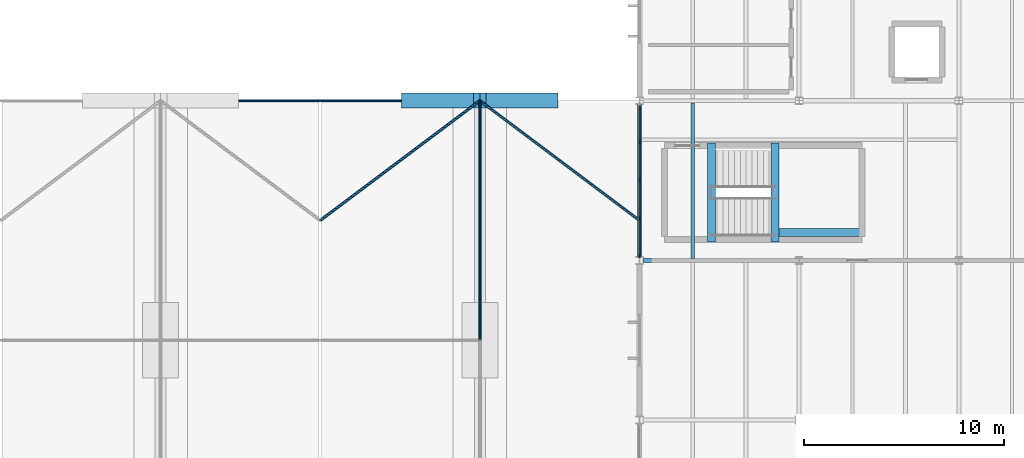
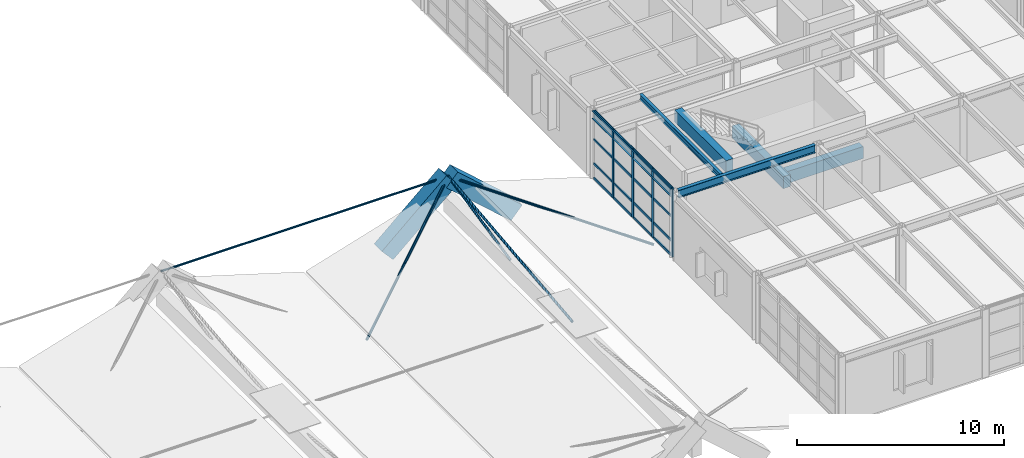
# One storey, part 24 of 50: 27 members, 6 beams, 1 element without a shape of its own.
"""IFC4 building model written with IfcOpenShell, lengths in metres."""

import ifcopenshell
import ifcopenshell.guid

model = None  # the IFC model being written
_history = None  # IfcOwnerHistory: only IFC2X3 demands one
_inside = {}  # id of a spatial element -> (the spatial element, [elements in it])
_under = {}  # id of a project, library or spatial element -> (it, [spatial elements below it])
_declared = {}  # id of a project -> (the project, [libraries it declares])
_typed = {}  # id of a type object -> (the type object, [elements of that type])
_made_of = {}  # id of a material, layer set ... -> (it, [elements and type objects made of it])


def new_model(schema):
    """Start an empty IFC model of exactly this schema.

    Asked for "IFC4X3", IfcOpenShell would pick the latest addendum, in which some entities
    have other attributes; the version numbers below select the first issue.
    IFC2X3 requires an IfcOwnerHistory on every rooted entity: one is made here for all.
    """
    global model, _history
    if schema == "IFC4X3":
        model = ifcopenshell.file(schema_version=(4, 3, 0, 0))
    else:
        model = ifcopenshell.file(schema=schema)
    _inside.clear()
    _under.clear()
    _declared.clear()
    _typed.clear()
    _made_of.clear()
    _history = None
    if model.schema == "IFC2X3":
        org = make("IfcOrganization", Name="unknown")
        user = make(
            "IfcPersonAndOrganization",
            ThePerson=make("IfcPerson", FamilyName="unknown"),
            TheOrganization=org,
        )
        app = make(
            "IfcApplication",
            ApplicationDeveloper=org,
            Version="unknown",
            ApplicationFullName="unknown",
            ApplicationIdentifier="unknown",
        )
        _history = make(
            "IfcOwnerHistory",
            OwningUser=user,
            OwningApplication=app,
            ChangeAction="ADDED",
            CreationDate=0,
        )
    return model


def make(cls, **values):
    """One entity of the class cls with the attributes given. An attribute that is None is left unset."""
    return model.create_entity(
        cls, **{name: value for name, value in values.items() if value is not None}
    )


def rooted(cls, **values):
    """An entity with a GlobalId (a new one), such as an element, a storey or a relation."""
    return make(cls, GlobalId=ifcopenshell.guid.new(), OwnerHistory=_history, **values)


def si_unit(unit_type, name, prefix=None):
    """IfcSIUnit, for example si_unit("LENGTHUNIT", "METRE", prefix="MILLI")."""
    return make("IfcSIUnit", UnitType=unit_type, Prefix=prefix, Name=name)


def assignment(units):
    """IfcUnitAssignment: the units of a project."""
    return None if units is None else make("IfcUnitAssignment", Units=units)


def point(xyz):
    """IfcCartesianPoint."""
    return None if xyz is None else make("IfcCartesianPoint", Coordinates=xyz)


def direction(xyz):
    """IfcDirection."""
    return None if xyz is None else make("IfcDirection", DirectionRatios=xyz)


def frame(location, z_axis=None, x_axis=None):
    """IfcAxis2Placement3D, a coordinate frame: its origin and axes. An axis left out is left unset."""
    return make(
        "IfcAxis2Placement3D",
        Location=point(location),
        Axis=direction(z_axis),
        RefDirection=direction(x_axis),
    )


def frame_2d(location, x_axis=None):
    """IfcAxis2Placement2D, a coordinate frame in the plane: its origin and x axis."""
    return make(
        "IfcAxis2Placement2D", Location=point(location), RefDirection=direction(x_axis)
    )


def origin():
    """The frame at (0, 0, 0) with its axes left unset."""
    return frame((0.0, 0.0, 0.0))


def origin_2d():
    """The frame at (0, 0) in the plane with its x axis left unset."""
    return frame_2d((0.0, 0.0))


def place(relative_to, where):
    """IfcLocalPlacement: puts the frame where relative to a parent placement (None: the world)."""
    return make(
        "IfcLocalPlacement", PlacementRelTo=relative_to, RelativePlacement=where
    )


def context(
    kind, dimensions, precision=None, world=None, true_north=None, identifier=None
):
    """IfcGeometricRepresentationContext, for example the 3D "Model" context."""
    return make(
        "IfcGeometricRepresentationContext",
        ContextIdentifier=identifier,
        ContextType=kind,
        CoordinateSpaceDimension=dimensions,
        Precision=precision,
        WorldCoordinateSystem=world,
        TrueNorth=true_north,
    )


def subcontext(parent, identifier, kind, view, scale=None):
    """IfcGeometricRepresentationSubContext, for example "Body" below "Model"."""
    return make(
        "IfcGeometricRepresentationSubContext",
        ContextIdentifier=identifier,
        ContextType=kind,
        ParentContext=parent,
        TargetScale=scale,
        TargetView=view,
    )


def project(units=None, contexts=None):
    """IfcProject with its units and contexts."""
    return rooted(
        "IfcProject",
        Name="project",
        RepresentationContexts=contexts,
        UnitsInContext=assignment(units),
    )


def spatial(cls, under=None, at=None, **own):
    """A site, building, storey or space (cls), placed at a placement, below another one or the project."""
    s = rooted(cls, ObjectPlacement=at, **own)
    if under is not None:
        _under.setdefault(under.id(), (under, []))[1].append(s)
    return s


def profile(cls, at=None, kind="AREA", **sizes):
    """A parametric profile (cls). Its sizes go by their IFC names, for example OverallWidth=200.0."""
    return make(cls, ProfileType=kind, Position=at, **sizes)


def rectangle(**sizes):
    """IfcRectangleProfileDef."""
    return profile("IfcRectangleProfileDef", **sizes)


def hollow_circle(**sizes):
    """IfcCircleHollowProfileDef."""
    return profile("IfcCircleHollowProfileDef", **sizes)


def i_section(**sizes):
    """IfcIShapeProfileDef."""
    return profile("IfcIShapeProfileDef", **sizes)


def extrude(swept, where, along, depth):
    """IfcExtrudedAreaSolid: the profile swept, set in the frame where, extruded along a direction by depth."""
    return make(
        "IfcExtrudedAreaSolid",
        SweptArea=swept,
        Position=where,
        ExtrudedDirection=direction(along),
        Depth=depth,
    )


def shape(context_of_items, identifier, shape_type, items):
    """IfcShapeRepresentation: the items that make up one representation, for example the "Body"."""
    return make(
        "IfcShapeRepresentation",
        ContextOfItems=context_of_items,
        RepresentationIdentifier=identifier,
        RepresentationType=shape_type,
        Items=items,
    )


def material(Name=None, Category=None):
    """IfcMaterial."""
    return make("IfcMaterial", Name=Name, Category=Category)


def layer(
    of_material, thickness, ventilated=None, Name=None, Category=None, Priority=None
):
    """IfcMaterialLayer: one layer of a wall or slab, of a material (None: an air gap)."""
    return make(
        "IfcMaterialLayer",
        Material=of_material,
        LayerThickness=thickness,
        IsVentilated=ventilated,
        Name=Name,
        Category=Category,
        Priority=Priority,
    )


def layer_set(layers, Name=None):
    """IfcMaterialLayerSet."""
    return make("IfcMaterialLayerSet", MaterialLayers=layers, LayerSetName=Name)


def material_profile(
    of_material, cross_section, Name=None, Category=None, Priority=None
):
    """IfcMaterialProfile: a cross section and its material."""
    return make(
        "IfcMaterialProfile",
        Name=Name,
        Material=of_material,
        Profile=cross_section,
        Priority=Priority,
        Category=Category,
    )


def profile_set(profiles, Name=None, composite=None):
    """IfcMaterialProfileSet."""
    return make(
        "IfcMaterialProfileSet",
        Name=Name,
        MaterialProfiles=profiles,
        CompositeProfile=composite,
    )


def made_of(thing, what):
    """Note that an element or type object is made of a material, layer set ...; save() writes the relation."""
    if what is not None:
        _made_of.setdefault(what.id(), (what, []))[1].append(thing)
    return thing


def type_object(cls, material=None, **own):
    """A type object (cls), such as IfcWallType, which elements share."""
    return made_of(rooted(cls, **own), material)


def element(
    cls,
    number,
    at=None,
    inside=None,
    cuts=None,
    type_object=None,
    material=None,
    context=None,
    identifier="Body",
    shape_type=None,
    held_by="IfcProductDefinitionShape",
    body=None,
    shapes=None,
    **own,
):
    """One element of the class cls, such as IfcWall. Its Tag is "e" and its number.

    at: its placement. inside: the storey or other place that contains it. cuts: it is an
    opening in that element (IfcRelVoidsElement). A single representation is given by context,
    identifier, shape_type and body (its items); several are given by shapes. held_by: the class
    of the entity that holds the representations. save() writes the other relations.
    """
    e = rooted(cls, Tag="e%d" % number, ObjectPlacement=at, **own)
    if body is not None:
        shapes = [shape(context, identifier, shape_type, body)]
    if shapes is not None:
        e.Representation = make(held_by, Representations=shapes)
    if inside is not None:
        _inside.setdefault(inside.id(), (inside, []))[1].append(e)
    if cuts is not None:
        rooted(
            "IfcRelVoidsElement", RelatingBuildingElement=cuts, RelatedOpeningElement=e
        )
    if type_object is not None:
        _typed.setdefault(type_object.id(), (type_object, []))[1].append(e)
    return made_of(e, material)


def aggregate(whole, parts):
    """IfcRelAggregates: a whole, such as a stair, and the parts it consists of."""
    return rooted("IfcRelAggregates", RelatingObject=whole, RelatedObjects=parts)


def save(model, path):
    """Write the relations noted so far, then the file.

    IfcRelAggregates (storeys below a building ...), IfcRelContainedInSpatialStructure (elements
    in a storey), IfcRelDefinesByType, IfcRelAssociatesMaterial and IfcRelDeclares: one each for
    every whole, place, type object, material and project.
    """
    for whole, parts in _under.values():
        aggregate(whole, parts)
    for where, things in _inside.values():
        rooted(
            "IfcRelContainedInSpatialStructure",
            RelatedElements=things,
            RelatingStructure=where,
        )
    for kind, things in _typed.values():
        rooted("IfcRelDefinesByType", RelatedObjects=things, RelatingType=kind)
    for what, things in _made_of.values():
        rooted("IfcRelAssociatesMaterial", RelatedObjects=things, RelatingMaterial=what)
    for by, libraries in _declared.values():
        rooted("IfcRelDeclares", RelatingContext=by, RelatedDefinitions=libraries)
    model.write(path)


model = new_model("IFC4")

# Units and contexts
model_context = context("Model", 3, precision=1e-05, world=origin(), true_north=direction((0.0, 1.0)))
body_context = subcontext(model_context, "Body", "Model", "MODEL_VIEW")
ifc_project = project(units=[si_unit("LENGTHUNIT", "METRE"), si_unit("AREAUNIT", "SQUARE_METRE"), si_unit("VOLUMEUNIT", "CUBIC_METRE"), si_unit("PLANEANGLEUNIT", "RADIAN"), si_unit("MASSUNIT", "GRAM", prefix="KILO")], contexts=[model_context])

# Site, building, storey
site_placement = place(None, origin())
site = spatial("IfcSite", under=ifc_project, at=site_placement, CompositionType="ELEMENT")
building_placement = place(site_placement, origin())
building = spatial("IfcBuilding", under=site, at=building_placement, Name="Varnela Railside Interchange", CompositionType="ELEMENT")
storey_placement = place(building_placement, frame((0.0, 0.0, 15.39990234375)))
storey = spatial("IfcBuildingStorey", under=building, at=storey_placement, Name="L03", CompositionType="ELEMENT", Elevation=15.39990234375)

# Beam
ifc_material_1 = material(Name="Steel AR 350 (350 MPa)", Category="steel")
ifc_material_profile_1 = material_profile(ifc_material_1, i_section(OverallWidth=0.1650390625, OverallDepth=0.31005859375, WebThickness=0.005859375, FlangeThickness=0.009765625, at=origin_2d()), Name="W310x38.7")
ifc_profile_set_1 = profile_set([ifc_material_profile_1], Name="Steel AR 350 (350 MPa)")
beam_type_1 = type_object("IfcBeamType", Name="Composite Floor Joist J-04", PredefinedType="JOIST", material=ifc_profile_set_1)
beam_1_placement = place(storey_placement, frame((118.669921875, 54.1044921875, 3.84521484375), z_axis=(0.0, 1.0, 0.0), x_axis=(-1.0, 0.0, 0.0)))
element("IfcBeam", 1, at=beam_1_placement, inside=storey, type_object=beam_type_1, Name="Composite Floor Joist J-04 (L03) (BM-2136)", PredefinedType="JOIST", context=body_context, shape_type="SweptSolid", body=[
    extrude(i_section(OverallWidth=0.1650390625, OverallDepth=0.31005859375, WebThickness=0.005859375, FlangeThickness=0.009765625, at=origin_2d()), origin(), (0.0, 0.0, 1.0), 7.791015625),
])

# Members
ifc_material_profile_2 = material_profile(ifc_material_1, hollow_circle(Radius=0.06982421875, WallThickness=0.012451171875, at=origin_2d()), Name="CHS 139.7x12.5")
ifc_profile_set_2 = profile_set([ifc_material_profile_2], Name="Steel AR 350 (350 MPa)")
member_type_1 = type_object("IfcMemberType", Name="Concourse Roof Cable CB-01", PredefinedType="CHORD", material=ifc_profile_set_2)
member_1_placement = place(storey_placement, frame((108.0, 62.0, 2.800048828125), z_axis=(0.0, -0.994182662369, -0.107707167096), x_axis=(1.0, 0.0, 0.0)))
element("IfcMember", 2, at=member_1_placement, inside=storey, type_object=member_type_1, Name="Concourse Roof Cable CB-01 (L03) (MB-0123)", PredefinedType="CHORD", context=body_context, shape_type="SweptSolid", body=[
    extrude(hollow_circle(Radius=0.06982421875, WallThickness=0.012451171875, at=origin_2d()), origin(), (0.0, 0.0, 1.0), 12.0703125),
])
for number, where, z_axis, x_axis, name in (
    (3, (108.0, 62.0, 2.800048828125), (-0.761940397697, -0.571455298273, -0.304771508564), (0.6, -0.8, 0.0), "Concourse Roof Cable CB-01 (L03) (MB-0124)"),
    (4, (108.0, 62.0, 2.800048828125), (0.761940397697, -0.571455298273, -0.304771508564), (0.6, 0.8, 0.0), "Concourse Roof Cable CB-01 (L03) (MB-0125)"),
):
    element("IfcMember", number, at=place(storey_placement, frame(where, z_axis=z_axis, x_axis=x_axis)), inside=storey, type_object=member_type_1, Name=name, PredefinedType="CHORD", context=body_context, shape_type="SweptSolid", body=[
        extrude(hollow_circle(Radius=0.06982421875, WallThickness=0.012451171875, at=origin_2d()), origin(), (0.0, 0.0, 1.0), 10.49951171875),
    ])
member_2_placement = place(storey_placement, frame((108.0, 62.0, 2.800048828125), z_axis=(0.0, -0.977321494017, -0.211760943833), x_axis=(1.0, 0.0, 0.0)))
element("IfcMember", 5, at=member_2_placement, inside=storey, type_object=member_type_1, Name="Concourse Roof Cable CB-01 (L03) (MB-0126)", PredefinedType="CHORD", context=body_context, shape_type="SweptSolid", body=[
    extrude(hollow_circle(Radius=0.06982421875, WallThickness=0.012451171875, at=origin_2d()), origin(), (0.0, 0.0, 1.0), 6.13916015625),
])
ifc_material_profile_3 = material_profile(ifc_material_1, hollow_circle(Radius=0.05712890625, WallThickness=0.010009765625, at=origin_2d()), Name="CHS 114.3x10")
ifc_profile_set_3 = profile_set([ifc_material_profile_3], Name="Steel AR 350 (350 MPa)")
member_type_2 = type_object("IfcMemberType", Name="Concourse Roof Tie Cable CB-02", PredefinedType="STRUT", material=ifc_profile_set_3)
member_3_placement = place(storey_placement, frame((92.0, 62.0, 2.800048828125), z_axis=(1.0, 0.0, 0.0), x_axis=(0.0, 1.0, 0.0)))
element("IfcMember", 6, at=member_3_placement, inside=storey, type_object=member_type_2, Name="Concourse Roof Tie Cable CB-02 (L03) (MB-0139)", PredefinedType="STRUT", context=body_context, shape_type="SweptSolid", body=[
    extrude(hollow_circle(Radius=0.05712890625, WallThickness=0.010009765625, at=origin_2d()), origin(), (0.0, 0.0, 1.0), 16.0),
])

# Curtain wall, members
ifc_material_2 = material(Name="Aluminium 6063-T6", Category="aluminium")
ifc_layer = layer(ifc_material_2, 0.035888671875)
ifc_layer_set = layer_set([ifc_layer], Name="Aluminium 6063-T6")
curtain_wall_type = type_object("IfcCurtainWallType", Name="Concourse Triple-Height Curtain Wall CW-01", PredefinedType="USERDEFINED", material=ifc_layer_set)
curtain_wall_placement = place(storey_placement, origin())
curtain_wall = element("IfcCurtainWall", 7, at=curtain_wall_placement, inside=storey, type_object=curtain_wall_type, Name="Curtain Wall CW-01 (L03) (CW-090)", ObjectType="CURTAIN WALL", PredefinedType="USERDEFINED")
ifc_material_profile_4 = material_profile(ifc_material_2, rectangle(XDim=0.06494140625, YDim=0.179931640625, at=origin_2d()), Name="ALU 65x180")
ifc_profile_set_4 = profile_set([ifc_material_profile_4], Name="Aluminium 6063-T6")
member_type_3 = type_object("IfcMemberType", Name="Concourse Tall Mullion ML-03", PredefinedType="MULLION", material=ifc_profile_set_4)
member_4_placement = place(storey_placement, frame((116.0, 54.216552734375, 0.0), z_axis=(0.0, 0.0, 1.0), x_axis=(-1.0, 0.0, 0.0)))
member_4 = element("IfcMember", 8, at=member_4_placement, type_object=member_type_3, Name="CW-01 mullion 1", PredefinedType="MULLION", context=body_context, shape_type="SweptSolid", body=[
    extrude(rectangle(XDim=0.06494140625, YDim=0.179931640625, at=origin_2d()), origin(), (0.0, 0.0, 1.0), 4.0),
])
member_5_placement = place(storey_placement, frame((116.0, 56.092041015625, 0.0), z_axis=(0.0, 0.0, 1.0), x_axis=(-1.0, 0.0, 0.0)))
member_5 = element("IfcMember", 9, at=member_5_placement, type_object=member_type_3, Name="CW-01 mullion 2", PredefinedType="MULLION", context=body_context, shape_type="SweptSolid", body=[
    extrude(rectangle(XDim=0.06494140625, YDim=0.179931640625, at=origin_2d()), origin(), (0.0, 0.0, 1.0), 4.0),
])
member_6_placement = place(storey_placement, frame((116.0, 58.0, 0.0), z_axis=(0.0, 0.0, 1.0), x_axis=(-1.0, 0.0, 0.0)))
member_6 = element("IfcMember", 10, at=member_6_placement, type_object=member_type_3, Name="CW-01 mullion 3", PredefinedType="MULLION", context=body_context, shape_type="SweptSolid", body=[
    extrude(rectangle(XDim=0.06494140625, YDim=0.179931640625, at=origin_2d()), origin(), (0.0, 0.0, 1.0), 4.0),
])
member_7_placement = place(storey_placement, frame((116.0, 59.907958984375, 0.0), z_axis=(0.0, 0.0, 1.0), x_axis=(-1.0, 0.0, 0.0)))
member_7 = element("IfcMember", 11, at=member_7_placement, type_object=member_type_3, Name="CW-01 mullion 4", PredefinedType="MULLION", context=body_context, shape_type="SweptSolid", body=[
    extrude(rectangle(XDim=0.06494140625, YDim=0.179931640625, at=origin_2d()), origin(), (0.0, 0.0, 1.0), 4.0),
])
ifc_material_profile_5 = material_profile(ifc_material_2, rectangle(XDim=0.06494140625, YDim=0.135009765625, at=origin_2d()), Name="ALU 65x135")
ifc_profile_set_5 = profile_set([ifc_material_profile_5], Name="Aluminium 6063-T6")
member_type_4 = type_object("IfcMemberType", Name="Concourse Transom TR-03", PredefinedType="USERDEFINED", material=ifc_profile_set_5)
member_8_placement = place(storey_placement, frame((116.0, 54.2490234375, 0.03271484375), z_axis=(0.0, 1.0, 0.0), x_axis=(-1.0, 0.0, 0.0)))
member_8 = element("IfcMember", 12, at=member_8_placement, type_object=member_type_4, Name="CW-01 transom 1.1", ObjectType="TRANSOM", PredefinedType="USERDEFINED", context=body_context, shape_type="SweptSolid", body=[
    extrude(rectangle(XDim=0.06494140625, YDim=0.135009765625, at=origin_2d()), origin(), (0.0, 0.0, 1.0), 1.810546875),
])
member_9_placement = place(storey_placement, frame((116.0, 54.2490234375, 0.900146484375), z_axis=(0.0, 1.0, 0.0), x_axis=(-1.0, 0.0, 0.0)))
member_9 = element("IfcMember", 13, at=member_9_placement, type_object=member_type_4, Name="CW-01 transom 1.2", ObjectType="TRANSOM", PredefinedType="USERDEFINED", context=body_context, shape_type="SweptSolid", body=[
    extrude(rectangle(XDim=0.06494140625, YDim=0.135009765625, at=origin_2d()), origin(), (0.0, 0.0, 1.0), 1.810546875),
])
member_10_placement = place(storey_placement, frame((116.0, 54.2490234375, 2.320068359375), z_axis=(0.0, 1.0, 0.0), x_axis=(-1.0, 0.0, 0.0)))
member_10 = element("IfcMember", 14, at=member_10_placement, type_object=member_type_4, Name="CW-01 transom 1.3", ObjectType="TRANSOM", PredefinedType="USERDEFINED", context=body_context, shape_type="SweptSolid", body=[
    extrude(rectangle(XDim=0.06494140625, YDim=0.135009765625, at=origin_2d()), origin(), (0.0, 0.0, 1.0), 1.810546875),
])
member_11_placement = place(storey_placement, frame((116.0, 54.2490234375, 3.967529296875), z_axis=(0.0, 1.0, 0.0), x_axis=(-1.0, 0.0, 0.0)))
member_11 = element("IfcMember", 15, at=member_11_placement, type_object=member_type_4, Name="CW-01 transom 1.4", ObjectType="TRANSOM", PredefinedType="USERDEFINED", context=body_context, shape_type="SweptSolid", body=[
    extrude(rectangle(XDim=0.06494140625, YDim=0.135009765625, at=origin_2d()), origin(), (0.0, 0.0, 1.0), 1.810546875),
])
member_12_placement = place(storey_placement, frame((116.0, 56.12451171875, 0.03271484375), z_axis=(0.0, 1.0, 0.0), x_axis=(-1.0, 0.0, 0.0)))
member_12 = element("IfcMember", 16, at=member_12_placement, type_object=member_type_4, Name="CW-01 transom 2.1", ObjectType="TRANSOM", PredefinedType="USERDEFINED", context=body_context, shape_type="SweptSolid", body=[
    extrude(rectangle(XDim=0.06494140625, YDim=0.135009765625, at=origin_2d()), origin(), (0.0, 0.0, 1.0), 1.843017578125),
])
member_13_placement = place(storey_placement, frame((116.0, 56.12451171875, 0.900146484375), z_axis=(0.0, 1.0, 0.0), x_axis=(-1.0, 0.0, 0.0)))
member_13 = element("IfcMember", 17, at=member_13_placement, type_object=member_type_4, Name="CW-01 transom 2.2", ObjectType="TRANSOM", PredefinedType="USERDEFINED", context=body_context, shape_type="SweptSolid", body=[
    extrude(rectangle(XDim=0.06494140625, YDim=0.135009765625, at=origin_2d()), origin(), (0.0, 0.0, 1.0), 1.843017578125),
])
member_14_placement = place(storey_placement, frame((116.0, 56.12451171875, 2.320068359375), z_axis=(0.0, 1.0, 0.0), x_axis=(-1.0, 0.0, 0.0)))
member_14 = element("IfcMember", 18, at=member_14_placement, type_object=member_type_4, Name="CW-01 transom 2.3", ObjectType="TRANSOM", PredefinedType="USERDEFINED", context=body_context, shape_type="SweptSolid", body=[
    extrude(rectangle(XDim=0.06494140625, YDim=0.135009765625, at=origin_2d()), origin(), (0.0, 0.0, 1.0), 1.843017578125),
])
member_15_placement = place(storey_placement, frame((116.0, 56.12451171875, 3.967529296875), z_axis=(0.0, 1.0, 0.0), x_axis=(-1.0, 0.0, 0.0)))
member_15 = element("IfcMember", 19, at=member_15_placement, type_object=member_type_4, Name="CW-01 transom 2.4", ObjectType="TRANSOM", PredefinedType="USERDEFINED", context=body_context, shape_type="SweptSolid", body=[
    extrude(rectangle(XDim=0.06494140625, YDim=0.135009765625, at=origin_2d()), origin(), (0.0, 0.0, 1.0), 1.843017578125),
])
member_16_placement = place(storey_placement, frame((116.0, 58.032470703125, 0.03271484375), z_axis=(0.0, 1.0, 0.0), x_axis=(-1.0, 0.0, 0.0)))
member_16 = element("IfcMember", 20, at=member_16_placement, type_object=member_type_4, Name="CW-01 transom 3.1", ObjectType="TRANSOM", PredefinedType="USERDEFINED", context=body_context, shape_type="SweptSolid", body=[
    extrude(rectangle(XDim=0.06494140625, YDim=0.135009765625, at=origin_2d()), origin(), (0.0, 0.0, 1.0), 1.843017578125),
])
member_17_placement = place(storey_placement, frame((116.0, 58.032470703125, 0.900146484375), z_axis=(0.0, 1.0, 0.0), x_axis=(-1.0, 0.0, 0.0)))
member_17 = element("IfcMember", 21, at=member_17_placement, type_object=member_type_4, Name="CW-01 transom 3.2", ObjectType="TRANSOM", PredefinedType="USERDEFINED", context=body_context, shape_type="SweptSolid", body=[
    extrude(rectangle(XDim=0.06494140625, YDim=0.135009765625, at=origin_2d()), origin(), (0.0, 0.0, 1.0), 1.843017578125),
])
member_18_placement = place(storey_placement, frame((116.0, 58.032470703125, 2.320068359375), z_axis=(0.0, 1.0, 0.0), x_axis=(-1.0, 0.0, 0.0)))
member_18 = element("IfcMember", 22, at=member_18_placement, type_object=member_type_4, Name="CW-01 transom 3.3", ObjectType="TRANSOM", PredefinedType="USERDEFINED", context=body_context, shape_type="SweptSolid", body=[
    extrude(rectangle(XDim=0.06494140625, YDim=0.135009765625, at=origin_2d()), origin(), (0.0, 0.0, 1.0), 1.843017578125),
])
member_19_placement = place(storey_placement, frame((116.0, 58.032470703125, 3.967529296875), z_axis=(0.0, 1.0, 0.0), x_axis=(-1.0, 0.0, 0.0)))
member_19 = element("IfcMember", 23, at=member_19_placement, type_object=member_type_4, Name="CW-01 transom 3.4", ObjectType="TRANSOM", PredefinedType="USERDEFINED", context=body_context, shape_type="SweptSolid", body=[
    extrude(rectangle(XDim=0.06494140625, YDim=0.135009765625, at=origin_2d()), origin(), (0.0, 0.0, 1.0), 1.843017578125),
])
member_20_placement = place(storey_placement, frame((116.0, 59.9404296875, 0.03271484375), z_axis=(0.0, 1.0, 0.0), x_axis=(-1.0, 0.0, 0.0)))
member_20 = element("IfcMember", 24, at=member_20_placement, type_object=member_type_4, Name="CW-01 transom 4.1", ObjectType="TRANSOM", PredefinedType="USERDEFINED", context=body_context, shape_type="SweptSolid", body=[
    extrude(rectangle(XDim=0.06494140625, YDim=0.135009765625, at=origin_2d()), origin(), (0.0, 0.0, 1.0), 1.810546875),
])
member_21_placement = place(storey_placement, frame((116.0, 59.9404296875, 0.900146484375), z_axis=(0.0, 1.0, 0.0), x_axis=(-1.0, 0.0, 0.0)))
member_21 = element("IfcMember", 25, at=member_21_placement, type_object=member_type_4, Name="CW-01 transom 4.2", ObjectType="TRANSOM", PredefinedType="USERDEFINED", context=body_context, shape_type="SweptSolid", body=[
    extrude(rectangle(XDim=0.06494140625, YDim=0.135009765625, at=origin_2d()), origin(), (0.0, 0.0, 1.0), 1.810546875),
])
member_22_placement = place(storey_placement, frame((116.0, 59.9404296875, 2.320068359375), z_axis=(0.0, 1.0, 0.0), x_axis=(-1.0, 0.0, 0.0)))
member_22 = element("IfcMember", 26, at=member_22_placement, type_object=member_type_4, Name="CW-01 transom 4.3", ObjectType="TRANSOM", PredefinedType="USERDEFINED", context=body_context, shape_type="SweptSolid", body=[
    extrude(rectangle(XDim=0.06494140625, YDim=0.135009765625, at=origin_2d()), origin(), (0.0, 0.0, 1.0), 1.810546875),
])
member_23_placement = place(storey_placement, frame((116.0, 59.9404296875, 3.967529296875), z_axis=(0.0, 1.0, 0.0), x_axis=(-1.0, 0.0, 0.0)))
member_23 = element("IfcMember", 27, at=member_23_placement, type_object=member_type_4, Name="CW-01 transom 4.4", ObjectType="TRANSOM", PredefinedType="USERDEFINED", context=body_context, shape_type="SweptSolid", body=[
    extrude(rectangle(XDim=0.06494140625, YDim=0.135009765625, at=origin_2d()), origin(), (0.0, 0.0, 1.0), 1.810546875),
])
aggregate(curtain_wall, [member_4, member_5, member_6, member_7, member_8, member_9, member_10, member_11, member_12, member_13, member_14, member_15, member_16, member_17, member_18, member_19, member_20, member_21, member_22, member_23])

# Beams
ifc_material_3 = material(Name="Concrete C40", Category="concrete")
ifc_material_profile_6 = material_profile(ifc_material_3, rectangle(XDim=0.39990234375, YDim=0.699951171875, at=origin_2d()), Name="RC 400x700")
ifc_profile_set_6 = profile_set([ifc_material_profile_6], Name="Concrete C40")
beam_type_2 = type_object("IfcBeamType", Name="Concrete Tie Beam B-01", PredefinedType="BEAM", material=ifc_profile_set_6)
for number, where, z_axis, x_axis, name in (
    (28, (119.60009765625, 54.919921875, 3.650146484375), (0.0, 1.0, 0.0), (-1.0, 0.0, 0.0), "Concrete Tie Beam B-01 (L03) (BM-2360)"),
    (29, (122.7900390625, 54.919921875, 1.590087890625), (0.0, 1.0, 0.0), (-1.0, 0.0, 0.0), "Concrete Tie Beam B-01 (L03) (BM-2354)"),
):
    element("IfcBeam", number, at=place(storey_placement, frame(where, z_axis=z_axis, x_axis=x_axis)), inside=storey, type_object=beam_type_2, Name=name, PredefinedType="BEAM", context=body_context, shape_type="SweptSolid", body=[
        extrude(rectangle(XDim=0.39990234375, YDim=0.699951171875, at=origin_2d()), origin(), (0.0, 0.0, 1.0), 4.9599609375),
    ])
beam_2_placement = place(storey_placement, frame((122.989990234375, 55.39990234375, 1.590087890625), z_axis=(1.0, 0.0, 0.0), x_axis=(0.0, 1.0, 0.0)))
element("IfcBeam", 30, at=beam_2_placement, inside=storey, type_object=beam_type_2, Name="Concrete Tie Beam B-01 (L03) (BM-2348)", PredefinedType="BEAM", context=body_context, shape_type="SweptSolid", body=[
    extrude(rectangle(XDim=0.39990234375, YDim=0.699951171875, at=origin_2d()), origin(), (0.0, 0.0, 1.0), 4.22998046875),
])

# Members
ifc_material_4 = material(Name="Concrete C50", Category="concrete")
ifc_material_profile_7 = material_profile(ifc_material_4, rectangle(XDim=0.75, YDim=0.949951171875, at=origin_2d()), Name="RC 750x950")
ifc_profile_set_7 = profile_set([ifc_material_profile_7], Name="Concrete C50")
member_type_5 = type_object("IfcMemberType", Name="Sculpted Concourse A-Frame Mast Strut MS-01", PredefinedType="STRUT", material=ifc_profile_set_7)
for number, where, z_axis, x_axis, name in (
    (31, (104.39990234375, 62.0, -0.39990234375), (0.747423301004, 0.0, 0.664348108386), (0.0, 1.0, 0.0), "Sculpted Concourse A-Frame Mast Strut MS-01 (L03) (MB-0158)"),
    (32, (111.60009765625, 62.0, -0.39990234375), (-0.747423301004, 0.0, 0.664348108386), (0.0, -1.0, 0.0), "Sculpted Concourse A-Frame Mast Strut MS-01 (L03) (MB-0159)"),
):
    element("IfcMember", number, at=place(storey_placement, frame(where, z_axis=z_axis, x_axis=x_axis)), inside=storey, type_object=member_type_5, Name=name, PredefinedType="STRUT", context=body_context, shape_type="SweptSolid", body=[
        extrude(rectangle(XDim=0.75, YDim=0.949951171875, at=origin_2d()), origin(), (0.0, 0.0, 1.0), 4.816650390625),
    ])

# Beams
ifc_material_profile_8 = material_profile(ifc_material_1, i_section(OverallWidth=0.19091796875, OverallDepth=0.4599609375, WebThickness=0.010009765625, FlangeThickness=0.01611328125, at=origin_2d()), Name="W460x82")
ifc_profile_set_8 = profile_set([ifc_material_profile_8], Name="Steel AR 350 (350 MPa)")
beam_type_3 = type_object("IfcBeamType", Name="Steel Perimeter Spandrel SP-01", PredefinedType="SPANDREL", material=ifc_profile_set_8)
beam_3_placement = place(storey_placement, frame((116.1865234375, 54.0, 3.77001953125), z_axis=(1.0, 0.0, 0.0), x_axis=(0.0, 1.0, 0.0)))
element("IfcBeam", 33, at=beam_3_placement, inside=storey, type_object=beam_type_3, Name="Steel Perimeter Spandrel SP-01 (L03) (BM-2231)", PredefinedType="SPANDREL", context=body_context, shape_type="SweptSolid", body=[
    extrude(i_section(OverallWidth=0.19091796875, OverallDepth=0.4599609375, WebThickness=0.010009765625, FlangeThickness=0.01611328125, at=origin_2d()), origin(), (0.0, 0.0, 1.0), 7.626953125),
])
beam_4_placement = place(storey_placement, frame((116.0, 54.18408203125, 3.77001953125), z_axis=(0.0, 1.0, 0.0), x_axis=(-1.0, 0.0, 0.0)))
element("IfcBeam", 34, at=beam_4_placement, inside=storey, type_object=beam_type_3, Name="Steel Perimeter Spandrel SP-01 (L03) (BM-2278)", PredefinedType="SPANDREL", context=body_context, shape_type="SweptSolid", body=[
    extrude(i_section(OverallWidth=0.19091796875, OverallDepth=0.4599609375, WebThickness=0.010009765625, FlangeThickness=0.01611328125, at=origin_2d()), origin(), (0.0, 0.0, 1.0), 7.6318359375),
])

save(model, "model.ifc")
